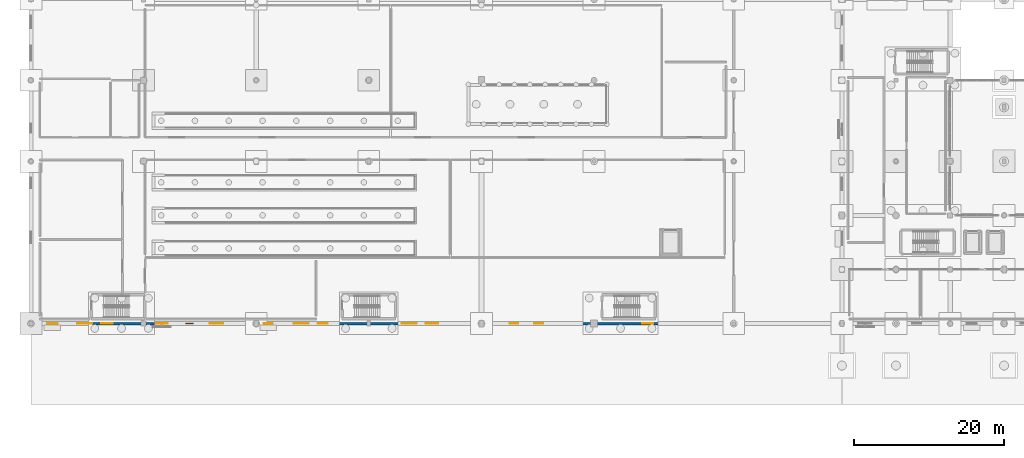
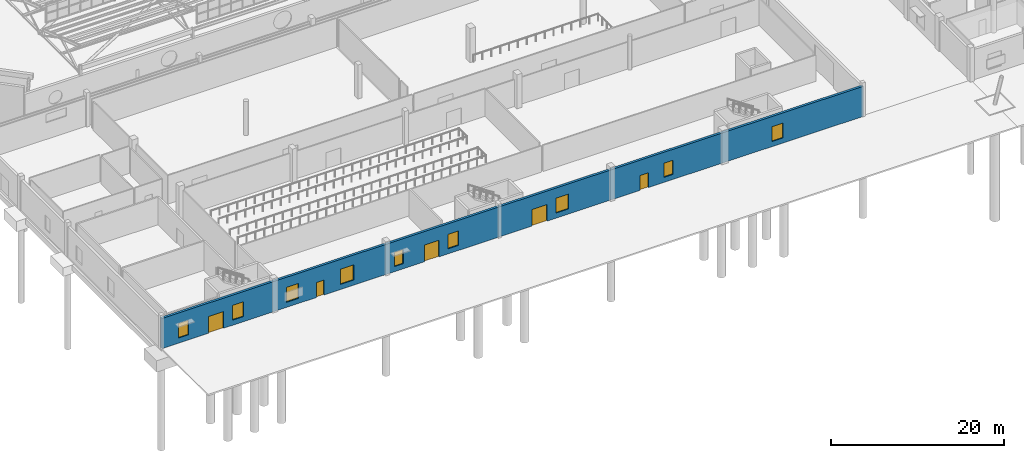
# One storey, part 248 of 285: 9 windows, 5 doors, 1 wall, 14 openings.
"""IFC4 building model written with IfcOpenShell, lengths in metres."""

from ifc_helpers import new_model, si_unit, direction, frame, frame_2d, origin, place, context, subcontext, project, spatial, rectangle, extrude, material, layer, layer_set, type_object, element, fill, save


model = new_model("IFC4")

# Units and contexts
model_context = context("Model", 3, precision=1e-05, world=origin(), true_north=direction((0.0, 1.0)))
body_context = subcontext(model_context, "Body", "Model", "MODEL_VIEW")
ifc_project = project(units=[si_unit("LENGTHUNIT", "METRE"), si_unit("AREAUNIT", "SQUARE_METRE"), si_unit("VOLUMEUNIT", "CUBIC_METRE"), si_unit("PLANEANGLEUNIT", "RADIAN"), si_unit("MASSUNIT", "GRAM", prefix="KILO")], contexts=[model_context])

# Site, building, storey
site_placement = place(None, origin())
site = spatial("IfcSite", under=ifc_project, at=site_placement, CompositionType="ELEMENT")
building_placement = place(site_placement, origin())
building = spatial("IfcBuilding", under=site, at=building_placement, Name="Solanera Park Tramway Depot", CompositionType="ELEMENT")
storey_placement = place(building_placement, origin())
storey = spatial("IfcBuildingStorey", under=building, at=storey_placement, Name="L00", CompositionType="ELEMENT", Elevation=0.0)

# Wall, openings, doors, windows
ifc_material_1 = material(Name="Concrete N32 (C32/40)", Category="concrete")
ifc_layer = layer(ifc_material_1, 0.320068359375)
ifc_layer_set = layer_set([ifc_layer], Name="Concrete N32 (C32/40)")
wall_type = type_object("IfcWallType", Name="Ext Stucco Wall 320", PredefinedType="SOLIDWALL", material=ifc_layer_set)
wall_placement = place(storey_placement, frame((0.0, 10.800048828125, 0.0), z_axis=(0.0, 0.0, 1.0), x_axis=(1.0, 0.0, 0.0)))
wall = element("IfcWall", 1, at=wall_placement, inside=storey, type_object=wall_type, Name="L00 Exterior Wall #001", PredefinedType="SOLIDWALL", context=body_context, shape_type="SweptSolid", body=[
    extrude(rectangle(XDim=93.60009765625, YDim=0.320068359375, at=frame_2d((46.800048828125, 0.0))), origin(), (0.0, 0.0, 1.0), 4.25),
])
opening_1_placement = place(wall_placement, frame((2.199951171875, 0.0, 0.719970703125)))
opening_1 = element("IfcOpeningElement", 2, at=opening_1_placement, cuts=wall, Name="Opening WN-A13", PredefinedType="OPENING", context=body_context, shape_type="SweptSolid", body=[
    extrude(rectangle(XDim=1.35009765625, YDim=2.050048828125, at=frame_2d((0.675048828125, 1.02490234375))), frame((0.0, 0.169921875, 0.0), z_axis=(0.0, -1.0, 0.0), x_axis=(1.0, 0.0, 0.0)), (0.0, 0.0, 1.0), 0.340087890625),
])
opening_2_placement = place(wall_placement, frame((9.39990234375, 0.0, 0.719970703125)))
opening_2 = element("IfcOpeningElement", 3, at=opening_2_placement, cuts=wall, Name="Opening WN-A15", PredefinedType="OPENING", context=body_context, shape_type="SweptSolid", body=[
    extrude(rectangle(XDim=1.5, YDim=2.10009765625, at=frame_2d((0.75, 1.050048828125))), frame((0.0, 0.169921875, 0.0), z_axis=(0.0, -1.0, 0.0), x_axis=(1.0, 0.0, 0.0)), (0.0, 0.0, 1.0), 0.340087890625),
])
opening_3_placement = place(wall_placement, frame((16.60009765625, 0.0, 0.719970703125)))
opening_3 = element("IfcOpeningElement", 4, at=opening_3_placement, cuts=wall, Name="Opening WN-A16", PredefinedType="OPENING", context=body_context, shape_type="SweptSolid", body=[
    extrude(rectangle(XDim=1.64990234375, YDim=2.10009765625, at=frame_2d((0.824951171875, 1.050048828125))), frame((0.0, 0.169921875, 0.0), z_axis=(0.0, -1.0, 0.0), x_axis=(1.0, 0.0, 0.0)), (0.0, 0.0, 1.0), 0.340087890625),
])
opening_4_placement = place(wall_placement, frame((23.800048828125, 0.0, 0.719970703125)))
opening_4 = element("IfcOpeningElement", 5, at=opening_4_placement, cuts=wall, Name="Opening WN-A18", PredefinedType="OPENING", context=body_context, shape_type="SweptSolid", body=[
    extrude(rectangle(XDim=1.800048828125, YDim=2.14990234375, at=frame_2d((0.89990234375, 1.074951171875))), frame((0.0, 0.169921875, 0.0), z_axis=(0.0, -1.0, 0.0), x_axis=(1.0, 0.0, 0.0)), (0.0, 0.0, 1.0), 0.340087890625),
])
opening_5_placement = place(wall_placement, frame((31.0, 0.0, 0.719970703125)))
opening_5 = element("IfcOpeningElement", 6, at=opening_5_placement, cuts=wall, Name="Opening WN-A12", PredefinedType="OPENING", context=body_context, shape_type="SweptSolid", body=[
    extrude(rectangle(XDim=1.199951171875, YDim=2.0, at=frame_2d((0.60009765625, 1.0))), frame((0.0, 0.169921875, 0.0), z_axis=(0.0, -1.0, 0.0), x_axis=(1.0, 0.0, 0.0)), (0.0, 0.0, 1.0), 0.340087890625),
])
opening_6_placement = place(wall_placement, frame((38.199951171875, 0.0, 0.719970703125)))
opening_6 = element("IfcOpeningElement", 7, at=opening_6_placement, cuts=wall, Name="Opening WN-A13", PredefinedType="OPENING", context=body_context, shape_type="SweptSolid", body=[
    extrude(rectangle(XDim=1.35009765625, YDim=2.050048828125, at=frame_2d((0.675048828125, 1.02490234375))), frame((0.0, 0.169921875, 0.0), z_axis=(0.0, -1.0, 0.0), x_axis=(1.0, 0.0, 0.0)), (0.0, 0.0, 1.0), 0.340087890625),
])
opening_7_placement = place(wall_placement, frame((52.60009765625, 0.0, 0.719970703125)))
opening_7 = element("IfcOpeningElement", 8, at=opening_7_placement, cuts=wall, Name="Opening WN-A16", PredefinedType="OPENING", context=body_context, shape_type="SweptSolid", body=[
    extrude(rectangle(XDim=1.64990234375, YDim=2.10009765625, at=frame_2d((0.824951171875, 1.050048828125))), frame((0.0, 0.169921875, 0.0), z_axis=(0.0, -1.0, 0.0), x_axis=(1.0, 0.0, 0.0)), (0.0, 0.0, 1.0), 0.340087890625),
])
opening_8_placement = place(wall_placement, frame((67.0, 0.0, 0.719970703125)))
opening_8 = element("IfcOpeningElement", 9, at=opening_8_placement, cuts=wall, Name="Opening WN-A12", PredefinedType="OPENING", context=body_context, shape_type="SweptSolid", body=[
    extrude(rectangle(XDim=1.199951171875, YDim=2.0, at=frame_2d((0.60009765625, 1.0))), frame((0.0, 0.169921875, 0.0), z_axis=(0.0, -1.0, 0.0), x_axis=(1.0, 0.0, 0.0)), (0.0, 0.0, 1.0), 0.340087890625),
])
opening_9_placement = place(wall_placement, frame((81.39990234375, 0.0, 0.719970703125)))
opening_9 = element("IfcOpeningElement", 10, at=opening_9_placement, cuts=wall, Name="Opening WN-A15", PredefinedType="OPENING", context=body_context, shape_type="SweptSolid", body=[
    extrude(rectangle(XDim=1.5, YDim=2.10009765625, at=frame_2d((0.75, 1.050048828125))), frame((0.0, 0.169921875, 0.0), z_axis=(0.0, -1.0, 0.0), x_axis=(1.0, 0.0, 0.0)), (0.0, 0.0, 1.0), 0.340087890625),
])
opening_10_placement = place(wall_placement, frame((6.199951171875, 0.0, 0.0)))
opening_10 = element("IfcOpeningElement", 11, at=opening_10_placement, cuts=wall, Name="Opening ED-01", PredefinedType="OPENING", context=body_context, shape_type="SweptSolid", body=[
    extrude(rectangle(XDim=2.0, YDim=2.35009765625, at=frame_2d((1.0, 1.175048828125))), frame((0.0, 0.169921875, 0.0), z_axis=(0.0, -1.0, 0.0), x_axis=(1.0, 0.0, 0.0)), (0.0, 0.0, 1.0), 0.340087890625),
])
opening_11_placement = place(wall_placement, frame((20.60009765625, 0.0, 0.0)))
opening_11 = element("IfcOpeningElement", 12, at=opening_11_placement, cuts=wall, Name="Opening ED-06", PredefinedType="OPENING", context=body_context, shape_type="SweptSolid", body=[
    extrude(rectangle(XDim=1.050048828125, YDim=2.10009765625, at=frame_2d((0.52490234375, 1.050048828125))), frame((0.0, 0.169921875, 0.0), z_axis=(0.0, -1.0, 0.0), x_axis=(1.0, 0.0, 0.0)), (0.0, 0.0, 1.0), 0.340087890625),
])
opening_12_placement = place(wall_placement, frame((35.0, 0.0, 0.0)))
opening_12 = element("IfcOpeningElement", 13, at=opening_12_placement, cuts=wall, Name="Opening ED-01", PredefinedType="OPENING", context=body_context, shape_type="SweptSolid", body=[
    extrude(rectangle(XDim=2.0, YDim=2.35009765625, at=frame_2d((1.0, 1.175048828125))), frame((0.0, 0.169921875, 0.0), z_axis=(0.0, -1.0, 0.0), x_axis=(1.0, 0.0, 0.0)), (0.0, 0.0, 1.0), 0.340087890625),
])
opening_13_placement = place(wall_placement, frame((49.39990234375, 0.0, 0.0)))
opening_13 = element("IfcOpeningElement", 14, at=opening_13_placement, cuts=wall, Name="Opening ED-01", PredefinedType="OPENING", context=body_context, shape_type="SweptSolid", body=[
    extrude(rectangle(XDim=2.0, YDim=2.35009765625, at=frame_2d((1.0, 1.175048828125))), frame((0.0, 0.169921875, 0.0), z_axis=(0.0, -1.0, 0.0), x_axis=(1.0, 0.0, 0.0)), (0.0, 0.0, 1.0), 0.340087890625),
])
opening_14_placement = place(wall_placement, frame((63.800048828125, 0.0, 0.0)))
opening_14 = element("IfcOpeningElement", 15, at=opening_14_placement, cuts=wall, Name="Opening ED-05", PredefinedType="OPENING", context=body_context, shape_type="SweptSolid", body=[
    extrude(rectangle(XDim=1.10009765625, YDim=2.10009765625, at=frame_2d((0.550048828125, 1.050048828125))), frame((0.0, 0.169921875, 0.0), z_axis=(0.0, -1.0, 0.0), x_axis=(1.0, 0.0, 0.0)), (0.0, 0.0, 1.0), 0.340087890625),
])
ifc_material_2 = material(Name="Powder-coated aluminium and steel portal leaf", Category="steel")
door_type_1 = type_object("IfcDoorType", Name="Civic Entrance Double Door 2000x2350", OperationType="DOUBLE_SWING_LEFT", PredefinedType="DOOR", material=ifc_material_2)
door_1_placement = place(opening_10_placement, frame((2.0, 0.0, 0.0), z_axis=(0.0, 0.0, 1.0), x_axis=(-1.0, 0.0, 0.0)))
door_1 = element("IfcDoor", 16, at=door_1_placement, inside=storey, type_object=door_type_1, Name="Ground Final Exit Double Door #0023", OperationType="DOUBLE_SWING_LEFT", OverallHeight=2.35009765625, OverallWidth=2.0, PredefinedType="DOOR", context=body_context, shape_type="SweptSolid", body=[
    extrude(rectangle(XDim=2.0, YDim=2.35009765625, at=frame_2d((1.0, 1.175048828125))), frame((0.0, 0.02490234375, 0.0), z_axis=(0.0, -1.0, 0.0), x_axis=(1.0, 0.0, 0.0)), (0.0, 0.0, 1.0), 0.050048828125),
])
fill(opening_10, door_1)
door_2_placement = place(opening_12_placement, frame((2.0, 0.0, 0.0), z_axis=(0.0, 0.0, 1.0), x_axis=(-1.0, 0.0, 0.0)))
door_2 = element("IfcDoor", 17, at=door_2_placement, inside=storey, type_object=door_type_1, Name="Ground Final Exit Double Door #0025", OperationType="DOUBLE_SWING_LEFT", OverallHeight=2.35009765625, OverallWidth=2.0, PredefinedType="DOOR", context=body_context, shape_type="SweptSolid", body=[
    extrude(rectangle(XDim=2.0, YDim=2.35009765625, at=frame_2d((1.0, 1.175048828125))), frame((0.0, 0.02490234375, 0.0), z_axis=(0.0, -1.0, 0.0), x_axis=(1.0, 0.0, 0.0)), (0.0, 0.0, 1.0), 0.050048828125),
])
fill(opening_12, door_2)
door_3_placement = place(opening_13_placement, frame((2.0, 0.0, 0.0), z_axis=(0.0, 0.0, 1.0), x_axis=(-1.0, 0.0, 0.0)))
door_3 = element("IfcDoor", 18, at=door_3_placement, inside=storey, type_object=door_type_1, Name="Ground Final Exit Double Door #0026", OperationType="DOUBLE_SWING_LEFT", OverallHeight=2.35009765625, OverallWidth=2.0, PredefinedType="DOOR", context=body_context, shape_type="SweptSolid", body=[
    extrude(rectangle(XDim=2.0, YDim=2.35009765625, at=frame_2d((1.0, 1.175048828125))), frame((0.0, 0.02490234375, 0.0), z_axis=(0.0, -1.0, 0.0), x_axis=(1.0, 0.0, 0.0)), (0.0, 0.0, 1.0), 0.050048828125),
])
fill(opening_13, door_3)
ifc_material_3 = material(Name="Powder-coated aluminium frame with solar-control double glazing", Category="aluminium")
window_type_1 = type_object("IfcWindowType", Name="Deep-Reveal Arched Window 1200x2000", PartitioningType="SINGLE_PANEL", PredefinedType="WINDOW", material=ifc_material_3)
window_1_placement = place(opening_5_placement, origin())
window_1 = element("IfcWindow", 19, at=window_1_placement, inside=storey, type_object=window_type_1, Name="L00 Deep-Reveal Arched Window 1200x2000 #0020", OverallHeight=2.0, OverallWidth=1.199951171875, PartitioningType="SINGLE_PANEL", PredefinedType="WINDOW", context=body_context, shape_type="SweptSolid", body=[
    extrude(rectangle(XDim=1.199951171875, YDim=2.0, at=frame_2d((0.60009765625, 1.0))), frame((0.0, 0.030029296875, 0.0), z_axis=(0.0, -1.0, 0.0), x_axis=(1.0, 0.0, 0.0)), (0.0, 0.0, 1.0), 0.06005859375),
])
fill(opening_5, window_1)
window_2_placement = place(opening_8_placement, origin())
window_2 = element("IfcWindow", 20, at=window_2_placement, inside=storey, type_object=window_type_1, Name="L00 Deep-Reveal Arched Window 1200x2000 #0023", OverallHeight=2.0, OverallWidth=1.199951171875, PartitioningType="SINGLE_PANEL", PredefinedType="WINDOW", context=body_context, shape_type="SweptSolid", body=[
    extrude(rectangle(XDim=1.199951171875, YDim=2.0, at=frame_2d((0.60009765625, 1.0))), frame((0.0, 0.030029296875, 0.0), z_axis=(0.0, -1.0, 0.0), x_axis=(1.0, 0.0, 0.0)), (0.0, 0.0, 1.0), 0.06005859375),
])
fill(opening_8, window_2)
ifc_material_4 = material(Name="Powder-coated aluminium frame with solar-control double glazing", Category="aluminium")
window_type_2 = type_object("IfcWindowType", Name="Deep-Reveal Arched Window 1350x2050", PartitioningType="SINGLE_PANEL", PredefinedType="WINDOW", material=ifc_material_4)
window_3_placement = place(opening_1_placement, origin())
window_3 = element("IfcWindow", 21, at=window_3_placement, inside=storey, type_object=window_type_2, Name="L00 Deep-Reveal Arched Window 1350x2050 #0016", OverallHeight=2.050048828125, OverallWidth=1.35009765625, PartitioningType="SINGLE_PANEL", PredefinedType="WINDOW", context=body_context, shape_type="SweptSolid", body=[
    extrude(rectangle(XDim=1.35009765625, YDim=2.050048828125, at=frame_2d((0.675048828125, 1.02490234375))), frame((0.0, 0.030029296875, 0.0), z_axis=(0.0, -1.0, 0.0), x_axis=(1.0, 0.0, 0.0)), (0.0, 0.0, 1.0), 0.06005859375),
])
fill(opening_1, window_3)
window_4_placement = place(opening_6_placement, origin())
window_4 = element("IfcWindow", 22, at=window_4_placement, inside=storey, type_object=window_type_2, Name="L00 Deep-Reveal Arched Window 1350x2050 #0021", OverallHeight=2.050048828125, OverallWidth=1.35009765625, PartitioningType="SINGLE_PANEL", PredefinedType="WINDOW", context=body_context, shape_type="SweptSolid", body=[
    extrude(rectangle(XDim=1.35009765625, YDim=2.050048828125, at=frame_2d((0.675048828125, 1.02490234375))), frame((0.0, 0.030029296875, 0.0), z_axis=(0.0, -1.0, 0.0), x_axis=(1.0, 0.0, 0.0)), (0.0, 0.0, 1.0), 0.06005859375),
])
fill(opening_6, window_4)
ifc_material_5 = material(Name="Powder-coated aluminium frame with solar-control double glazing", Category="aluminium")
window_type_3 = type_object("IfcWindowType", Name="Deep-Reveal Arched Window 1500x2100", PartitioningType="SINGLE_PANEL", PredefinedType="WINDOW", material=ifc_material_5)
window_5_placement = place(opening_2_placement, origin())
window_5 = element("IfcWindow", 23, at=window_5_placement, inside=storey, type_object=window_type_3, Name="L00 Deep-Reveal Arched Window 1500x2100 #0017", OverallHeight=2.10009765625, OverallWidth=1.5, PartitioningType="SINGLE_PANEL", PredefinedType="WINDOW", context=body_context, shape_type="SweptSolid", body=[
    extrude(rectangle(XDim=1.5, YDim=2.10009765625, at=frame_2d((0.75, 1.050048828125))), frame((0.0, 0.030029296875, 0.0), z_axis=(0.0, -1.0, 0.0), x_axis=(1.0, 0.0, 0.0)), (0.0, 0.0, 1.0), 0.06005859375),
])
fill(opening_2, window_5)
window_6_placement = place(opening_9_placement, origin())
window_6 = element("IfcWindow", 24, at=window_6_placement, inside=storey, type_object=window_type_3, Name="L00 Deep-Reveal Arched Window 1500x2100 #0024", OverallHeight=2.10009765625, OverallWidth=1.5, PartitioningType="SINGLE_PANEL", PredefinedType="WINDOW", context=body_context, shape_type="SweptSolid", body=[
    extrude(rectangle(XDim=1.5, YDim=2.10009765625, at=frame_2d((0.75, 1.050048828125))), frame((0.0, 0.030029296875, 0.0), z_axis=(0.0, -1.0, 0.0), x_axis=(1.0, 0.0, 0.0)), (0.0, 0.0, 1.0), 0.06005859375),
])
fill(opening_9, window_6)
ifc_material_6 = material(Name="Powder-coated aluminium frame with solar-control double glazing", Category="aluminium")
window_type_4 = type_object("IfcWindowType", Name="Deep-Reveal Arched Window 1650x2100", PartitioningType="SINGLE_PANEL", PredefinedType="WINDOW", material=ifc_material_6)
window_7_placement = place(opening_3_placement, origin())
window_7 = element("IfcWindow", 25, at=window_7_placement, inside=storey, type_object=window_type_4, Name="L00 Deep-Reveal Arched Window 1650x2100 #0018", OverallHeight=2.10009765625, OverallWidth=1.64990234375, PartitioningType="SINGLE_PANEL", PredefinedType="WINDOW", context=body_context, shape_type="SweptSolid", body=[
    extrude(rectangle(XDim=1.64990234375, YDim=2.10009765625, at=frame_2d((0.824951171875, 1.050048828125))), frame((0.0, 0.030029296875, 0.0), z_axis=(0.0, -1.0, 0.0), x_axis=(1.0, 0.0, 0.0)), (0.0, 0.0, 1.0), 0.06005859375),
])
fill(opening_3, window_7)
window_8_placement = place(opening_7_placement, origin())
window_8 = element("IfcWindow", 26, at=window_8_placement, inside=storey, type_object=window_type_4, Name="L00 Deep-Reveal Arched Window 1650x2100 #0022", OverallHeight=2.10009765625, OverallWidth=1.64990234375, PartitioningType="SINGLE_PANEL", PredefinedType="WINDOW", context=body_context, shape_type="SweptSolid", body=[
    extrude(rectangle(XDim=1.64990234375, YDim=2.10009765625, at=frame_2d((0.824951171875, 1.050048828125))), frame((0.0, 0.030029296875, 0.0), z_axis=(0.0, -1.0, 0.0), x_axis=(1.0, 0.0, 0.0)), (0.0, 0.0, 1.0), 0.06005859375),
])
fill(opening_7, window_8)
ifc_material_7 = material(Name="Powder-coated aluminium frame with solar-control double glazing", Category="aluminium")
window_type_5 = type_object("IfcWindowType", Name="Deep-Reveal Arched Window 1800x2150", PartitioningType="SINGLE_PANEL", PredefinedType="WINDOW", material=ifc_material_7)
window_9_placement = place(opening_4_placement, origin())
window_9 = element("IfcWindow", 27, at=window_9_placement, inside=storey, type_object=window_type_5, Name="L00 Deep-Reveal Arched Window 1800x2150 #0019", OverallHeight=2.14990234375, OverallWidth=1.800048828125, PartitioningType="SINGLE_PANEL", PredefinedType="WINDOW", context=body_context, shape_type="SweptSolid", body=[
    extrude(rectangle(XDim=1.800048828125, YDim=2.14990234375, at=frame_2d((0.89990234375, 1.074951171875))), frame((0.0, 0.030029296875, 0.0), z_axis=(0.0, -1.0, 0.0), x_axis=(1.0, 0.0, 0.0)), (0.0, 0.0, 1.0), 0.06005859375),
])
fill(opening_4, window_9)
ifc_material_8 = material(Name="Powder-coated aluminium and steel portal leaf", Category="steel")
door_type_2 = type_object("IfcDoorType", Name="External Final Exit Door 1100x2100", OperationType="SINGLE_SWING_LEFT", PredefinedType="DOOR", material=ifc_material_8)
door_4_placement = place(opening_14_placement, frame((1.10009765625, 0.0, 0.0), z_axis=(0.0, 0.0, 1.0), x_axis=(-1.0, 0.0, 0.0)))
door_4 = element("IfcDoor", 28, at=door_4_placement, inside=storey, type_object=door_type_2, Name="Ground Final Exit Door #0027", OperationType="SINGLE_SWING_LEFT", OverallHeight=2.10009765625, OverallWidth=1.10009765625, PredefinedType="DOOR", context=body_context, shape_type="SweptSolid", body=[
    extrude(rectangle(XDim=1.10009765625, YDim=2.10009765625, at=frame_2d((0.550048828125, 1.050048828125))), frame((0.0, 0.02490234375, 0.0), z_axis=(0.0, -1.0, 0.0), x_axis=(1.0, 0.0, 0.0)), (0.0, 0.0, 1.0), 0.050048828125),
])
fill(opening_14, door_4)
ifc_material_9 = material(Name="Powder-coated aluminium and steel portal leaf", Category="steel")
door_type_3 = type_object("IfcDoorType", Name="External Final Exit Door R 1050x2100", OperationType="SINGLE_SWING_RIGHT", PredefinedType="DOOR", material=ifc_material_9)
door_5_placement = place(opening_11_placement, frame((1.050048828125, 0.0, 0.0), z_axis=(0.0, 0.0, 1.0), x_axis=(-1.0, 0.0, 0.0)))
door_5 = element("IfcDoor", 29, at=door_5_placement, inside=storey, type_object=door_type_3, Name="Ground Final Exit Door #0024", OperationType="SINGLE_SWING_RIGHT", OverallHeight=2.10009765625, OverallWidth=1.050048828125, PredefinedType="DOOR", context=body_context, shape_type="SweptSolid", body=[
    extrude(rectangle(XDim=1.050048828125, YDim=2.10009765625, at=frame_2d((0.52490234375, 1.050048828125))), frame((0.0, 0.02490234375, 0.0), z_axis=(0.0, -1.0, 0.0), x_axis=(1.0, 0.0, 0.0)), (0.0, 0.0, 1.0), 0.050048828125),
])
fill(opening_11, door_5)

save(model, "model.ifc")
